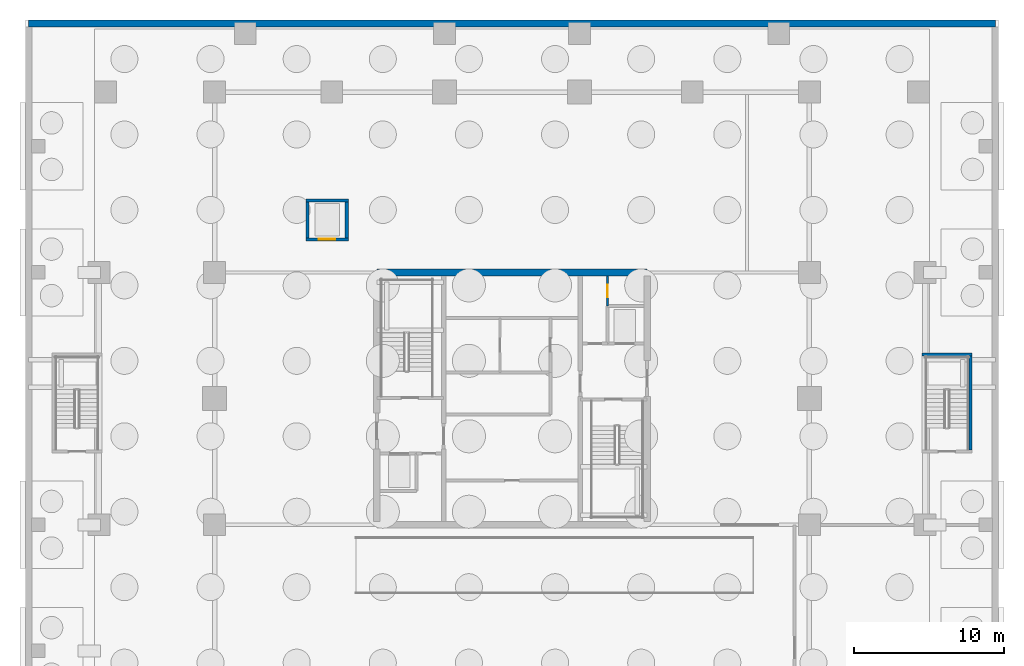
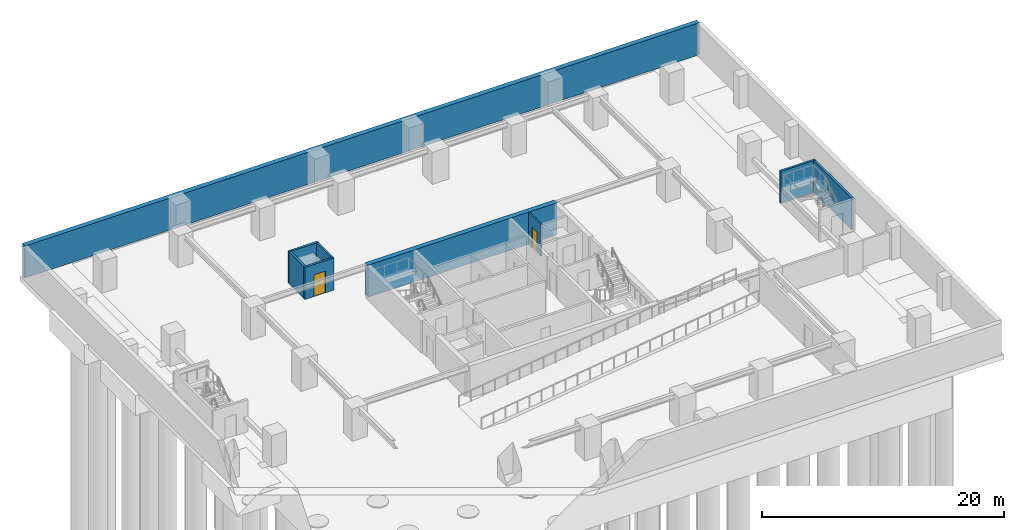
# One storey, part 4 of 12: 9 walls, 2 doors, 2 openings.
"""IFC4 building model written with IfcOpenShell, lengths in metres."""

from ifc_helpers import new_model, si_unit, direction, frame, frame_2d, origin, place, context, subcontext, project, spatial, rectangle, extrude, source, transform, mapped, material, layer, layer_set, type_object, element, fill, save


model = new_model("IFC4")

# Units and contexts
model_context = context("Model", 3, precision=1e-05, world=origin(), true_north=direction((0.0, 1.0)))
body_context = subcontext(model_context, "Body", "Model", "MODEL_VIEW")
ifc_project = project(units=[si_unit("LENGTHUNIT", "METRE"), si_unit("AREAUNIT", "SQUARE_METRE"), si_unit("VOLUMEUNIT", "CUBIC_METRE"), si_unit("PLANEANGLEUNIT", "RADIAN"), si_unit("MASSUNIT", "GRAM", prefix="KILO")], contexts=[model_context])

# Site, building, storey
site_placement = place(None, origin())
site = spatial("IfcSite", under=ifc_project, at=site_placement, CompositionType="ELEMENT")
building_placement = place(site_placement, origin())
building = spatial("IfcBuilding", under=site, at=building_placement, Name="Serunith Strait Residences", CompositionType="ELEMENT")
storey_placement = place(building_placement, frame((0.0, 0.0, -10.800048828125)))
storey = spatial("IfcBuildingStorey", under=building, at=storey_placement, Name="B03", CompositionType="ELEMENT", Elevation=-10.800048828125)

# Wall, opening, door
ifc_material_1 = material(Name="Fire-rated masonry service closet wall", Category="masonry")
ifc_layer_1 = layer(ifc_material_1, 0.14990234375, Name="Fire-rated masonry service closet wall")
ifc_layer_set_1 = layer_set([ifc_layer_1], Name="Fire-rated masonry service closet wall")
wall_type_1 = type_object("IfcWallType", Name="IW-BOH-150", PredefinedType="PARTITIONING", material=ifc_layer_set_1)
wall_1_placement = place(storey_placement, frame((38.75, 31.35205078125, 0.0), z_axis=(0.0, 0.0, 1.0), x_axis=(0.0, 1.0, 0.0)))
wall_1 = element("IfcWall", 1, at=wall_1_placement, inside=storey, type_object=wall_type_1, Name="B03 Partition Wall 016", PredefinedType="PARTITIONING", context=body_context, shape_type="SweptSolid", body=[
    extrude(rectangle(XDim=2.02294921875, YDim=0.14990234375, at=frame_2d((1.011474609375, 0.0))), origin(), (0.0, 0.0, 1.0), 3.239990234375),
])
opening_1_placement = place(wall_1_placement, frame((0.5859375, 0.0, 0.0)))
opening_1 = element("IfcOpeningElement", 2, at=opening_1_placement, cuts=wall_1, Name="Opening FD-850", PredefinedType="OPENING", context=body_context, shape_type="SweptSolid", body=[
    extrude(rectangle(XDim=0.85009765625, YDim=2.10009765625, at=frame_2d((0.425048828125, 1.050048828125))), frame((0.0, 0.0849609375, 0.0), z_axis=(0.0, -1.0, 0.0), x_axis=(1.0, 0.0, 0.0)), (0.0, 0.0, 1.0), 0.169921875),
])
ifc_material_2 = material(Name="Powder-coated steel service closet door", Category="steel")
door_type_1 = type_object("IfcDoorType", Name="FD-BOH-850", OperationType="NOTDEFINED", PredefinedType="DOOR", material=ifc_material_2)
shared_shape_1 = source(origin(), body_context, "Body", "SweptSolid", [
    extrude(rectangle(XDim=0.85009765625, YDim=2.10009765625, at=frame_2d((0.425048828125, 1.050048828125))), frame((0.0, 0.02490234375, 0.0), z_axis=(0.0, -1.0, 0.0), x_axis=(1.0, 0.0, 0.0)), (0.0, 0.0, 1.0), 0.050048828125),
])
door_1_placement = place(opening_1_placement, origin())
door_1 = element("IfcDoor", 3, at=door_1_placement, inside=storey, type_object=door_type_1, Name="B03 ELV Data Closet Door", OperationType="SINGLE_SWING_LEFT", OverallHeight=2.10009765625, OverallWidth=0.85009765625, PredefinedType="DOOR", context=body_context, shape_type="MappedRepresentation", body=[
    mapped(shared_shape_1, transform((0.0, 0.0, 0.0), scale=1.0)),
])
fill(opening_1, door_1)

# Walls
ifc_material_3 = material(Name="Autoclaved aerated concrete blockwork", Category="masonry")
ifc_layer_2 = layer(ifc_material_3, 0.199951171875, Name="Autoclaved aerated concrete blockwork")
ifc_layer_set_2 = layer_set([ifc_layer_2], Name="Autoclaved aerated concrete blockwork")
wall_type_2 = type_object("IfcWallType", Name="IW-SHAFT-200", PredefinedType="STANDARD", material=ifc_layer_set_2)
wall_2_placement = place(storey_placement, frame((59.679931640625, 28.1201171875, 0.0), z_axis=(0.0, 0.0, 1.0), x_axis=(1.0, 0.0, 0.0)))
element("IfcWall", 4, at=wall_2_placement, inside=storey, type_object=wall_type_2, Name="B03 ST-6 North Shaft Wall", PredefinedType="STANDARD", context=body_context, shape_type="SweptSolid", body=[
    extrude(rectangle(XDim=3.340087890625, YDim=0.199951171875, at=frame_2d((1.669921875, 0.0))), origin(), (0.0, 0.0, 1.0), 3.239990234375),
])
wall_3_placement = place(storey_placement, frame((62.919921875, 21.780029296875, 0.0), z_axis=(0.0, 0.0, 1.0), x_axis=(0.0, 1.0, 0.0)))
element("IfcWall", 5, at=wall_3_placement, inside=storey, type_object=wall_type_2, Name="B03 ST-6 East Shaft Wall", PredefinedType="STANDARD", context=body_context, shape_type="SweptSolid", body=[
    extrude(rectangle(XDim=6.239990234375, YDim=0.199951171875, at=frame_2d((3.1201171875, 0.0))), origin(), (0.0, 0.0, 1.0), 3.239990234375),
])

# Wall, opening, door
wall_4_placement = place(storey_placement, frame((18.699951171875, 35.800048828125, 0.0), z_axis=(0.0, 0.0, 1.0), x_axis=(1.0, 0.0, 0.0)))
wall_4 = element("IfcWall", 6, at=wall_4_placement, inside=storey, type_object=wall_type_2, Name="B03 SV-1 South Shaft Wall", PredefinedType="STANDARD", context=body_context, shape_type="SweptSolid", body=[
    extrude(rectangle(XDim=2.800048828125, YDim=0.199951171875, at=frame_2d((1.39990234375, 0.0))), origin(), (0.0, 0.0, 1.0), 3.239990234375),
])
opening_2_placement = place(wall_4_placement, frame((0.85009765625, 0.0, 0.0)))
opening_2 = element("IfcOpeningElement", 7, at=opening_2_placement, cuts=wall_4, Name="Opening LD-1100", PredefinedType="OPENING", context=body_context, shape_type="SweptSolid", body=[
    extrude(rectangle(XDim=1.10009765625, YDim=2.199951171875, at=frame_2d((0.550048828125, 1.10009765625))), frame((0.0, 0.10986328125, 0.0), z_axis=(0.0, -1.0, 0.0), x_axis=(1.0, 0.0, 0.0)), (0.0, 0.0, 1.0), 0.219970703125),
])
ifc_material_4 = material(Name="Pale-champagne stainless landing door")
door_type_2 = type_object("IfcDoorType", Name="LD-LIFT-1100", OperationType="DOUBLE_DOOR_SLIDING", PredefinedType="DOOR", material=ifc_material_4)
shared_shape_2 = source(origin(), body_context, "Body", "SweptSolid", [
    extrude(rectangle(XDim=1.10009765625, YDim=2.199951171875, at=frame_2d((0.550048828125, 1.10009765625))), frame((0.0, 0.02490234375, 0.0), z_axis=(0.0, -1.0, 0.0), x_axis=(1.0, 0.0, 0.0)), (0.0, 0.0, 1.0), 0.050048828125),
])
door_2_placement = place(opening_2_placement, origin())
door_2 = element("IfcDoor", 8, at=door_2_placement, inside=storey, type_object=door_type_2, Name="B03 SV-1 Landing Door", OperationType="DOUBLE_DOOR_SLIDING", OverallHeight=2.199951171875, OverallWidth=1.10009765625, PredefinedType="DOOR", context=body_context, shape_type="MappedRepresentation", body=[
    mapped(shared_shape_2, transform((0.0, 0.0, 0.0), scale=1.0)),
])
fill(opening_2, door_2)

# Walls
for number, where, z_axis, x_axis, name in (
    (9, (18.800048828125, 35.89990234375, 0.0), (0.0, 0.0, 1.0), (0.0, 1.0, 0.0), "B03 SV-1 West Shaft Wall"),
    (10, (21.39990234375, 35.89990234375, 0.0), (0.0, 0.0, 1.0), (0.0, 1.0, 0.0), "B03 SV-1 East Shaft Wall"),
):
    element("IfcWall", number, at=place(storey_placement, frame(where, z_axis=z_axis, x_axis=x_axis)), inside=storey, type_object=wall_type_2, Name=name, PredefinedType="STANDARD", context=body_context, shape_type="SweptSolid", body=[
        extrude(rectangle(XDim=2.400146484375, YDim=0.199951171875, at=frame_2d((1.2001953125, 0.0))), origin(), (0.0, 0.0, 1.0), 3.239990234375),
    ])
wall_5_placement = place(storey_placement, frame((18.699951171875, 38.39990234375, 0.0), z_axis=(0.0, 0.0, 1.0), x_axis=(1.0, 0.0, 0.0)))
element("IfcWall", 11, at=wall_5_placement, inside=storey, type_object=wall_type_2, Name="B03 SV-1 North Shaft Wall", PredefinedType="STANDARD", context=body_context, shape_type="SweptSolid", body=[
    extrude(rectangle(XDim=2.800048828125, YDim=0.199951171875, at=frame_2d((1.39990234375, 0.0))), origin(), (0.0, 0.0, 1.0), 3.239990234375),
])
ifc_material_5 = material(Name="Concrete C50/60", Category="concrete")
ifc_layer_3 = layer(ifc_material_5, 0.449951171875, Name="Concrete C50/60")
ifc_layer_set_3 = layer_set([ifc_layer_3], Name="Concrete C50/60")
wall_type_3 = type_object("IfcWallType", Name="RW-450-C50", PredefinedType="USERDEFINED", material=ifc_layer_set_3)
wall_6_placement = place(storey_placement, frame((64.574951171875, 50.175048828125, 0.0), z_axis=(0.0, 0.0, 1.0), x_axis=(-1.0, 0.0, 0.0)))
element("IfcWall", 12, at=wall_6_placement, inside=storey, type_object=wall_type_3, Name="B03 North Diaphragm Wall", ObjectType="RETAININGWALL", PredefinedType="USERDEFINED", context=body_context, shape_type="SweptSolid", body=[
    extrude(rectangle(XDim=64.349853515625, YDim=0.449951171875, at=frame_2d((32.1748046875, 0.0))), origin(), (0.0, 0.0, 1.0), 3.238037109375),
])
ifc_material_6 = material(Name="Concrete C80/95", Category="concrete")
ifc_layer_4 = layer(ifc_material_6, 0.449951171875, Name="Concrete C80/95")
ifc_layer_set_4 = layer_set([ifc_layer_4], Name="Concrete C80/95")
wall_type_4 = type_object("IfcWallType", Name="SW-450-C80", PredefinedType="SHEAR", material=ifc_layer_set_4)
wall_7_placement = place(storey_placement, frame((41.39990234375, 33.60009765625, 0.0), z_axis=(0.0, 0.0, 1.0), x_axis=(-1.0, 0.0, 0.0)))
element("IfcWall", 13, at=wall_7_placement, inside=storey, type_object=wall_type_4, Name="B03 Core North Shear Wall", PredefinedType="SHEAR", context=body_context, shape_type="SweptSolid", body=[
    extrude(rectangle(XDim=18.0, YDim=0.449951171875, at=frame_2d((9.0, 0.0))), origin(), (0.0, 0.0, 1.0), 3.238037109375),
])

save(model, "model.ifc")
